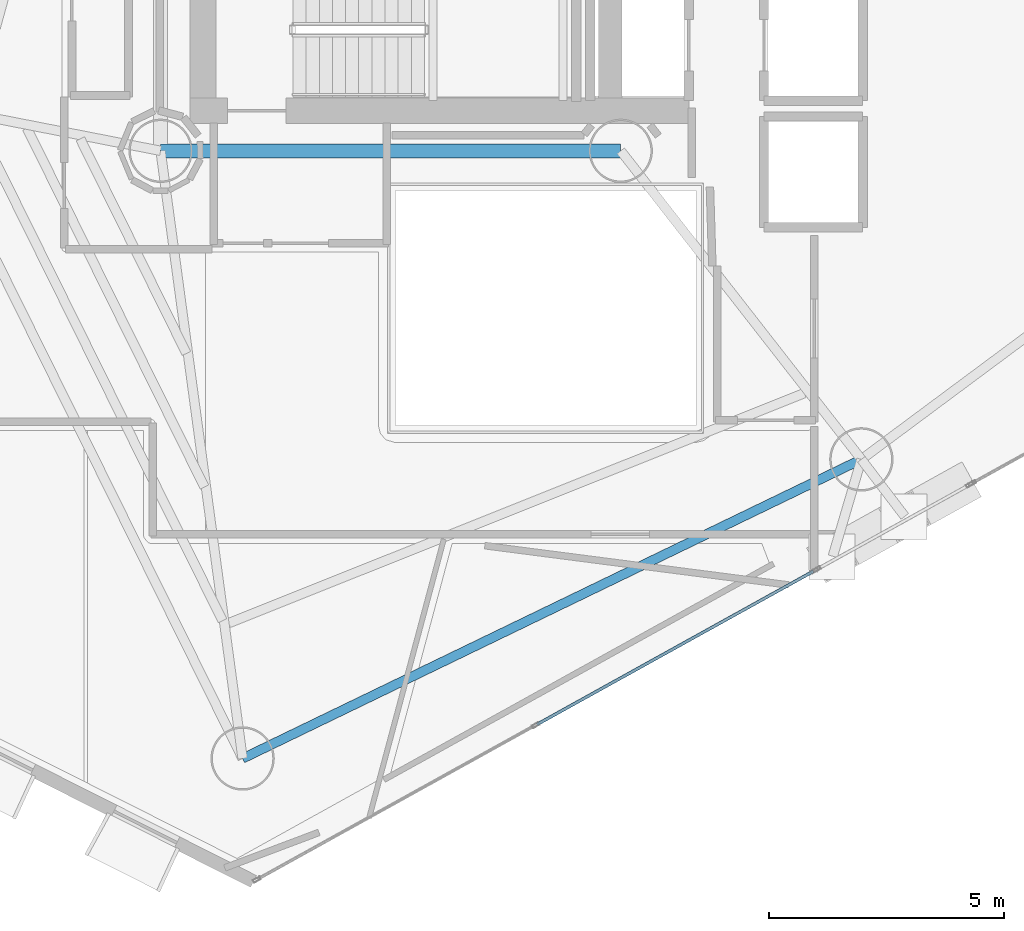
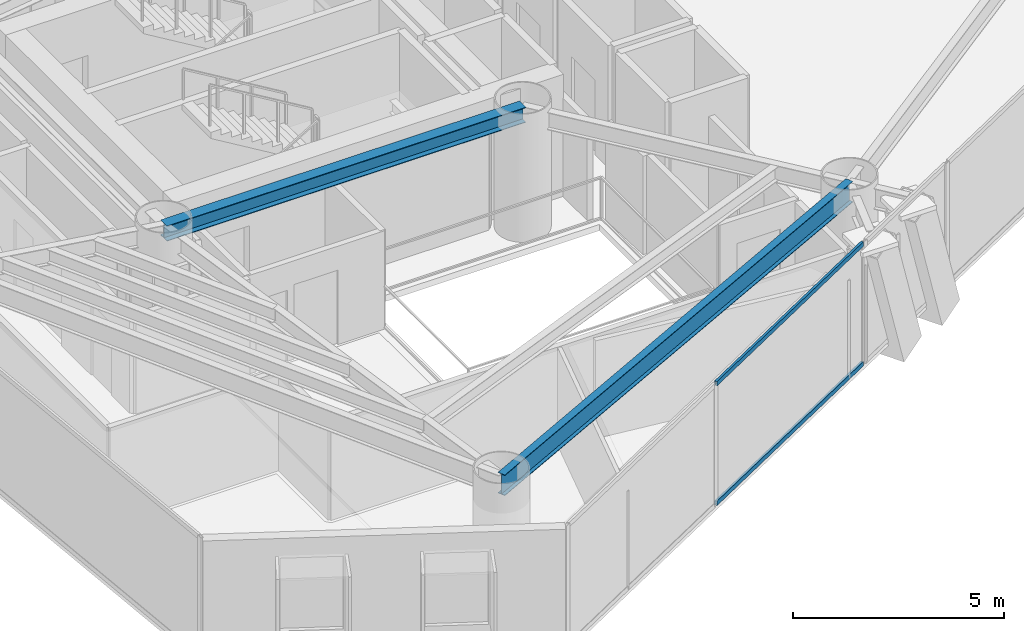
# One storey, part 5 of 21: 2 beams, 2 members, 1 element without a shape of its own.
"""IFC4 building model written with IfcOpenShell, lengths in metres."""

from ifc_helpers import new_model, si_unit, direction, frame, origin, origin_2d, place, context, subcontext, project, spatial, hollow_rectangle, i_section, extrude, material, layer, layer_set, material_profile, profile_set, type_object, element, aggregate, save


model = new_model("IFC4")

# Units and contexts
model_context = context("Model", 3, precision=1e-05, world=origin(), true_north=direction((0.0, 1.0)))
body_context = subcontext(model_context, "Body", "Model", "MODEL_VIEW")
ifc_project = project(units=[si_unit("LENGTHUNIT", "METRE"), si_unit("AREAUNIT", "SQUARE_METRE"), si_unit("VOLUMEUNIT", "CUBIC_METRE"), si_unit("PLANEANGLEUNIT", "RADIAN"), si_unit("MASSUNIT", "GRAM", prefix="KILO")], contexts=[model_context])

# Site, building, storey
site_placement = place(None, origin())
site = spatial("IfcSite", under=ifc_project, at=site_placement, CompositionType="ELEMENT")
building_placement = place(site_placement, origin())
building = spatial("IfcBuilding", under=site, at=building_placement, Name="Qianvela Tower", CompositionType="ELEMENT")
storey_placement = place(building_placement, frame((0.0, 0.0, 166.10009765625)))
storey = spatial("IfcBuildingStorey", under=building, at=storey_placement, Name="L42", CompositionType="ELEMENT", Elevation=166.10009765625)

# Beams
ifc_material_1 = material(Name="Steel Q355B", Category="steel")
ifc_material_profile_1 = material_profile(ifc_material_1, i_section(OverallWidth=0.300048828125, OverallDepth=0.43994140625, WebThickness=0.010986328125, FlangeThickness=0.01806640625, at=origin_2d()), Name="HM440x300x11x18")
ifc_profile_set_1 = profile_set([ifc_material_profile_1], Name="Steel Q355B")
beam_type_1 = type_object("IfcBeamType", Name="BM-HM440-COLL", PredefinedType="BEAM", material=ifc_profile_set_1)
beam_1_placement = place(storey_placement, frame((28.60009765625, 23.85009765625, 3.2978515625), z_axis=(1.0, 0.0, 0.0), x_axis=(0.0, 1.0, 0.0)))
element("IfcBeam", 1, at=beam_1_placement, inside=storey, type_object=beam_type_1, Name="L42 Core Ring Collector Girder CC1", PredefinedType="BEAM", context=body_context, shape_type="SweptSolid", body=[
    extrude(i_section(OverallWidth=0.300048828125, OverallDepth=0.43994140625, WebThickness=0.010986328125, FlangeThickness=0.01806640625, at=origin_2d()), origin(), (0.0, 0.0, 1.0), 9.7998046875),
])
ifc_material_2 = material(Name="Steel Q355B", Category="steel")
ifc_material_profile_2 = material_profile(ifc_material_2, i_section(OverallWidth=0.199951171875, OverallDepth=0.60009765625, WebThickness=0.010986328125, FlangeThickness=0.01708984375, at=origin_2d()), Name="HN600x200x11x17")
ifc_profile_set_2 = profile_set([ifc_material_profile_2], Name="Steel Q355B")
beam_type_2 = type_object("IfcBeamType", Name="BM-HN600-GIRD", PredefinedType="BEAM", material=ifc_profile_set_2)
beam_2_placement = place(storey_placement, frame((30.346923828125, 10.908935546875, 3.218017578125), z_axis=(0.900328583727, 0.435210801019, 0.0), x_axis=(-0.435210801019, 0.900328583727, 0.0)))
element("IfcBeam", 2, at=beam_2_placement, inside=storey, type_object=beam_type_2, Name="L42 Perimeter Ring Spandrel Girder 5", PredefinedType="BEAM", context=body_context, shape_type="SweptSolid", body=[
    extrude(i_section(OverallWidth=0.199951171875, OverallDepth=0.60009765625, WebThickness=0.010986328125, FlangeThickness=0.01708984375, at=origin_2d()), origin(), (0.0, 0.0, 1.0), 14.636962890625),
])

# Curtain wall, members
ifc_material_3 = material(Name="Anodised Architectural Aluminium and Low-E Glass", Category="aluminium")
ifc_layer = layer(ifc_material_3, 0.169921875)
ifc_layer_set = layer_set([ifc_layer], Name="Anodised Architectural Aluminium and Low-E Glass")
curtain_wall_type = type_object("IfcCurtainWallType", Name="CW-COLIV-Z34", PredefinedType="USERDEFINED", material=ifc_layer_set)
curtain_wall_placement = place(storey_placement, origin())
curtain_wall = element("IfcCurtainWall", 3, at=curtain_wall_placement, inside=storey, type_object=curtain_wall_type, Name="L42 CW-COLIV-Z34 Curtain Wall 06A", ObjectType="CURTAIN_WALL_SYSTEM", PredefinedType="USERDEFINED")
ifc_material_4 = material(Name="Anodised Architectural Aluminium 6063-T6", Category="aluminium")
ifc_material_profile_3 = material_profile(ifc_material_4, hollow_rectangle(XDim=0.06494140625, YDim=0.1298828125, WallThickness=0.00439453125, at=origin_2d()), Name="ALU-TRAN-65x130")
ifc_profile_set_3 = profile_set([ifc_material_profile_3], Name="Anodised Architectural Aluminium 6063-T6")
member_type = type_object("IfcMemberType", Name="CW-COLIV-Z34-TRAN", PredefinedType="USERDEFINED", material=ifc_profile_set_3)
member_1_placement = place(storey_placement, frame((36.6181640625, 11.634521484375, 0.032470703125), z_axis=(0.874680978465, 0.484699067372, 0.0), x_axis=(-0.484699067372, 0.874680978465, 0.0)))
member_1 = element("IfcMember", 4, at=member_1_placement, type_object=member_type, Name="CW-4 transom 2.1", ObjectType="TRANSOM", PredefinedType="USERDEFINED", context=body_context, shape_type="SweptSolid", body=[
    extrude(hollow_rectangle(XDim=0.06494140625, YDim=0.1298828125, WallThickness=0.00439453125, at=origin_2d()), origin(), (0.0, 0.0, 1.0), 6.722412109375),
])
member_2_placement = place(storey_placement, frame((36.6181640625, 11.634521484375, 3.4873046875), z_axis=(0.874680978465, 0.484699067372, 0.0), x_axis=(-0.484699067372, 0.874680978465, 0.0)))
member_2 = element("IfcMember", 5, at=member_2_placement, type_object=member_type, Name="CW-4 transom 2.2", ObjectType="TRANSOM", PredefinedType="USERDEFINED", context=body_context, shape_type="SweptSolid", body=[
    extrude(hollow_rectangle(XDim=0.06494140625, YDim=0.1298828125, WallThickness=0.00439453125, at=origin_2d()), origin(), (0.0, 0.0, 1.0), 6.722412109375),
])
aggregate(curtain_wall, [member_1, member_2])

save(model, "model.ifc")
